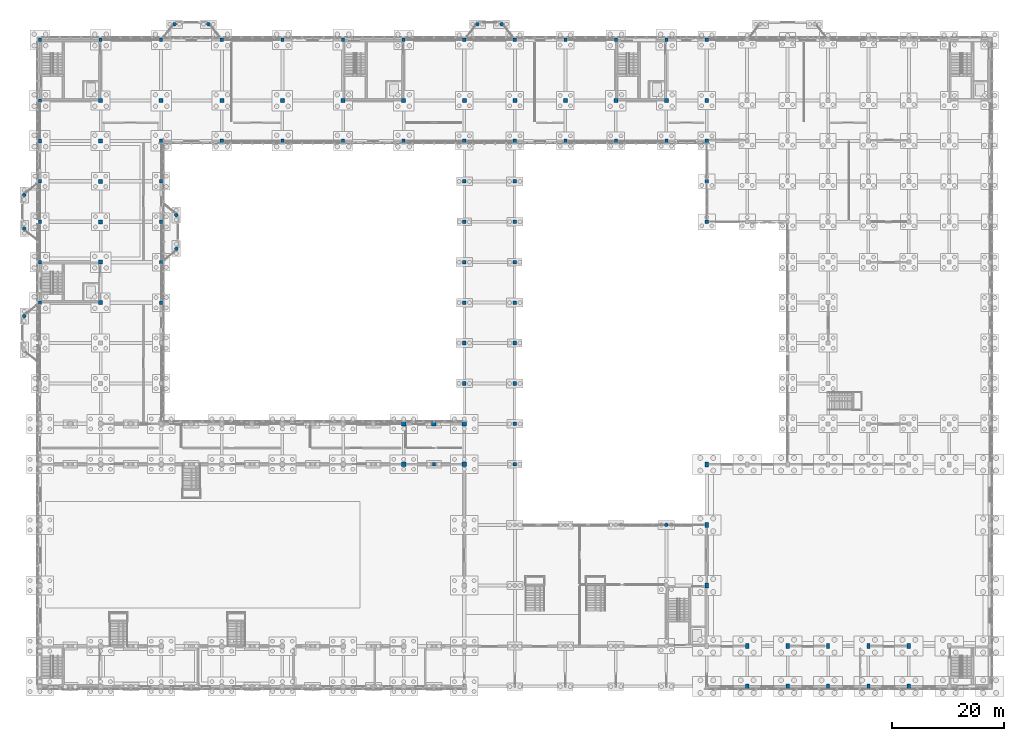
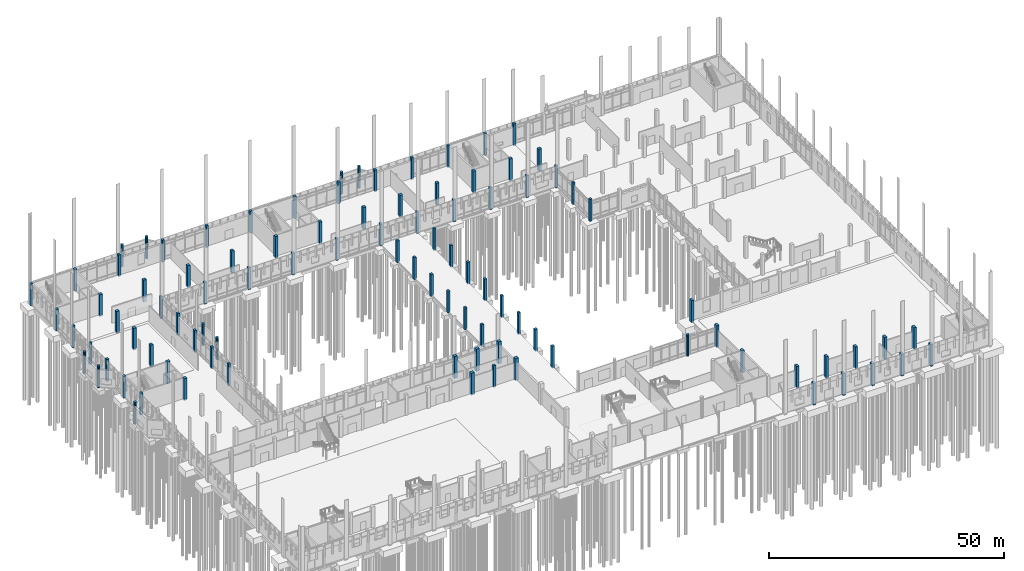
# One storey, part 22 of 109: 96 columns.
"""IFC4 building model written with IfcOpenShell, lengths in metres."""

from ifc_helpers import new_model, si_unit, direction, frame, origin, origin_2d, place, context, subcontext, project, spatial, rectangle, circle, extrude, material, material_profile, profile_set, type_object, element, save


model = new_model("IFC4")

# Units and contexts
model_context = context("Model", 3, precision=1e-05, world=origin(), true_north=direction((0.0, 1.0)))
body_context = subcontext(model_context, "Body", "Model", "MODEL_VIEW")
ifc_project = project(units=[si_unit("LENGTHUNIT", "METRE"), si_unit("AREAUNIT", "SQUARE_METRE"), si_unit("VOLUMEUNIT", "CUBIC_METRE"), si_unit("PLANEANGLEUNIT", "RADIAN"), si_unit("MASSUNIT", "GRAM", prefix="KILO")], contexts=[model_context])

# Site, building, storey
site_placement = place(None, origin())
site = spatial("IfcSite", under=ifc_project, at=site_placement, CompositionType="ELEMENT")
building_placement = place(site_placement, origin())
building = spatial("IfcBuilding", under=site, at=building_placement, Name="Lusvemor Sports Hall", CompositionType="ELEMENT")
storey_placement = place(building_placement, origin())
storey = spatial("IfcBuildingStorey", under=building, at=storey_placement, Name="L00", CompositionType="ELEMENT", Elevation=0.0)

# Columns
ifc_material_1 = material(Name="Concrete C40/50", Category="concrete")
ifc_material_profile_1 = material_profile(ifc_material_1, circle(Radius=0.324951171875, at=origin_2d()), Name="RCCIRC650")
ifc_profile_set_1 = profile_set([ifc_material_profile_1], Name="Concrete C40/50")
column_type_1 = type_object("IfcColumnType", Name="COL_COLONNADE", PredefinedType="COLUMN", material=ifc_profile_set_1)
for number, where, z_axis, x_axis, name in (
    (1, (111.60009765625, 28.800048828125, -0.300048828125), (0.0, 0.0, 1.0), (1.0, 0.0, 0.0), "Column 12/D (L00)"),
    (2, (-2.800048828125, 66.0, -0.300048828125), (0.0, 0.0, 1.0), (1.0, 0.0, 0.0), "Art Nouveau Bow Column BOW-W1-2 (L00)"),
    (3, (-2.800048828125, 81.60009765625, -0.300048828125), (0.0, 0.0, 1.0), (1.0, 0.0, 0.0), "Art Nouveau Bow Column BOW-W2-1 (L00)"),
    (4, (-2.800048828125, 87.60009765625, -0.300048828125), (0.0, 0.0, 1.0), (1.0, 0.0, 0.0), "Art Nouveau Bow Column BOW-W2-2 (L00)"),
    (5, (24.0, 118.0, -0.300048828125), (0.0, 0.0, 1.0), (1.0, 0.0, 0.0), "Art Nouveau Bow Column BOW-N1-1 (L00)"),
    (6, (30.0, 118.0, -0.300048828125), (0.0, 0.0, 1.0), (1.0, 0.0, 0.0), "Art Nouveau Bow Column BOW-N1-2 (L00)"),
    (7, (77.93994140625, 118.0, -0.300048828125), (0.0, 0.0, 1.0), (1.0, 0.0, 0.0), "Art Nouveau Bow Column BOW-N2-1 (L00)"),
    (8, (82.260009765625, 118.0, -0.300048828125), (0.0, 0.0, 1.0), (1.0, 0.0, 0.0), "Art Nouveau Bow Column BOW-N2-2 (L00)"),
    (9, (24.300048828125, 84.0, -0.300048828125), (0.0, 0.0, 1.0), (1.0, 0.0, 0.0), "Art Nouveau Bow Column BOW-CT-1 (L00)"),
    (10, (24.300048828125, 78.0, -0.300048828125), (0.0, 0.0, 1.0), (1.0, 0.0, 0.0), "Art Nouveau Bow Column BOW-CT-2 (L00)"),
):
    element("IfcColumn", number, at=place(storey_placement, frame(where, z_axis=z_axis, x_axis=x_axis)), inside=storey, type_object=column_type_1, Name=name, PredefinedType="COLUMN", context=body_context, shape_type="SweptSolid", body=[
        extrude(circle(Radius=0.324951171875, at=origin_2d()), origin(), (0.0, 0.0, 1.0), 5.699951171875),
    ])
ifc_material_2 = material(Name="Concrete C40/50", Category="concrete")
ifc_material_profile_2 = material_profile(ifc_material_2, rectangle(XDim=0.699951171875, YDim=0.699951171875, at=origin_2d()), Name="RC700x700")
ifc_profile_set_2 = profile_set([ifc_material_profile_2], Name="Concrete C40/50")
column_type_2 = type_object("IfcColumnType", Name="COL_HALL_I", PredefinedType="COLUMN", material=ifc_profile_set_2)
for number, where, z_axis, x_axis, name in (
    (11, (10.800048828125, 68.39990234375, -0.300048828125), (0.0, 0.0, 1.0), (1.0, 0.0, 0.0), "Column 2/J (L00)"),
    (12, (10.800048828125, 75.60009765625, -0.300048828125), (0.0, 0.0, 1.0), (1.0, 0.0, 0.0), "Column 2/K (L00)"),
    (13, (10.800048828125, 82.800048828125, -0.300048828125), (0.0, 0.0, 1.0), (1.0, 0.0, 0.0), "Column 2/L (L00)"),
    (14, (10.800048828125, 90.0, -0.300048828125), (0.0, 0.0, 1.0), (1.0, 0.0, 0.0), "Column 2/M (L00)"),
    (15, (10.800048828125, 97.199951171875, -0.300048828125), (0.0, 0.0, 1.0), (1.0, 0.0, 0.0), "Column 2/N (L00)"),
    (16, (10.800048828125, 104.39990234375, -0.300048828125), (0.0, 0.0, 1.0), (1.0, 0.0, 0.0), "Column 2/P (L00)"),
    (17, (21.60009765625, 104.39990234375, -0.300048828125), (0.0, 0.0, 1.0), (1.0, 0.0, 0.0), "Column 3/P (L00)"),
    (18, (32.39990234375, 104.39990234375, -0.300048828125), (0.0, 0.0, 1.0), (1.0, 0.0, 0.0), "Column 4/P (L00)"),
    (19, (43.199951171875, 104.39990234375, -0.300048828125), (0.0, 0.0, 1.0), (1.0, 0.0, 0.0), "Column 5/P (L00)"),
    (20, (54.0, 104.39990234375, -0.300048828125), (0.0, 0.0, 1.0), (1.0, 0.0, 0.0), "Column 6/P (L00)"),
    (21, (64.800048828125, 104.39990234375, -0.300048828125), (0.0, 0.0, 1.0), (1.0, 0.0, 0.0), "Column 7/P (L00)"),
    (22, (75.60009765625, 104.39990234375, -0.300048828125), (0.0, 0.0, 1.0), (1.0, 0.0, 0.0), "Column 8/P (L00)"),
    (23, (84.60009765625, 104.39990234375, -0.300048828125), (0.0, 0.0, 1.0), (1.0, 0.0, 0.0), "Column 9/P (L00)"),
    (24, (93.60009765625, 104.39990234375, -0.300048828125), (0.0, 0.0, 1.0), (1.0, 0.0, 0.0), "Column 10/P (L00)"),
    (25, (102.60009765625, 104.39990234375, -0.300048828125), (0.0, 0.0, 1.0), (1.0, 0.0, 0.0), "Column 11/P (L00)"),
    (26, (111.60009765625, 104.39990234375, -0.300048828125), (0.0, 0.0, 1.0), (1.0, 0.0, 0.0), "Column 12/P (L00)"),
    (27, (118.800048828125, 104.39990234375, -0.300048828125), (0.0, 0.0, 1.0), (1.0, 0.0, 0.0), "Column 13/P (L00)"),
):
    element("IfcColumn", number, at=place(storey_placement, frame(where, z_axis=z_axis, x_axis=x_axis)), inside=storey, type_object=column_type_2, Name=name, PredefinedType="COLUMN", context=body_context, shape_type="SweptSolid", body=[
        extrude(rectangle(XDim=0.699951171875, YDim=0.699951171875, at=origin_2d()), origin(), (0.0, 0.0, 1.0), 5.699951171875),
    ])
ifc_material_3 = material(Name="Concrete C40/50", Category="concrete")
ifc_material_profile_3 = material_profile(ifc_material_3, rectangle(XDim=0.800048828125, YDim=0.800048828125, at=origin_2d()), Name="RC800x800")
ifc_profile_set_3 = profile_set([ifc_material_profile_3], Name="Concrete C40/50")
column_type_3 = type_object("IfcColumnType", Name="COL_HALL_W", PredefinedType="COLUMN", material=ifc_profile_set_3)
for number, where, z_axis, x_axis, name in (
    (28, (64.800048828125, 39.60009765625, -0.300048828125), (0.0, 0.0, 1.0), (1.0, 0.0, 0.0), "Column 7/E (L00)"),
    (29, (64.800048828125, 46.800048828125, -0.300048828125), (0.0, 0.0, 1.0), (1.0, 0.0, 0.0), "Column 7/F (L00)"),
    (30, (75.60009765625, 39.60009765625, -0.300048828125), (0.0, 0.0, 1.0), (1.0, 0.0, 0.0), "Column 8/E (L00)"),
    (31, (75.60009765625, 46.800048828125, -0.300048828125), (0.0, 0.0, 1.0), (1.0, 0.0, 0.0), "Column 8/F (L00)"),
    (32, (70.199951171875, 46.800048828125, -0.300048828125), (0.0, 0.0, 1.0), (1.0, 0.0, 0.0), "Wave North Eave Column N7 (L00)"),
):
    element("IfcColumn", number, at=place(storey_placement, frame(where, z_axis=z_axis, x_axis=x_axis)), inside=storey, type_object=column_type_3, Name=name, PredefinedType="COLUMN", context=body_context, shape_type="SweptSolid", body=[
        extrude(rectangle(XDim=0.800048828125, YDim=0.800048828125, at=origin_2d()), origin(), (0.0, 0.0, 1.0), 5.699951171875),
    ])
ifc_material_4 = material(Name="Concrete C40/50", Category="concrete")
ifc_material_profile_4 = material_profile(ifc_material_4, rectangle(XDim=0.60009765625, YDim=0.89990234375, at=origin_2d()), Name="RC600x900")
ifc_profile_set_4 = profile_set([ifc_material_profile_4], Name="Concrete C40/50")
column_type_4 = type_object("IfcColumnType", Name="COL_STACK_E", PredefinedType="COLUMN", material=ifc_profile_set_4)
for number, where, z_axis, x_axis, name in (
    (33, (118.800048828125, 18.0, -0.300048828125), (0.0, 0.0, 1.0), (1.0, 0.0, 0.0), "Column 13/C (L00)"),
    (34, (118.800048828125, 28.800048828125, -0.300048828125), (0.0, 0.0, 1.0), (1.0, 0.0, 0.0), "Column 13/D (L00)"),
    (35, (118.800048828125, 39.60009765625, -0.300048828125), (0.0, 0.0, 1.0), (1.0, 0.0, 0.0), "Column 13/E (L00)"),
    (36, (126.0, 0.0, -0.300048828125), (0.0, 0.0, 1.0), (1.0, 0.0, 0.0), "Column 14/A (L00)"),
    (37, (126.0, 7.199951171875, -0.300048828125), (0.0, 0.0, 1.0), (1.0, 0.0, 0.0), "Column 14/B (L00)"),
    (38, (133.199951171875, 0.0, -0.300048828125), (0.0, 0.0, 1.0), (1.0, 0.0, 0.0), "Column 15/A (L00)"),
    (39, (133.199951171875, 7.199951171875, -0.300048828125), (0.0, 0.0, 1.0), (1.0, 0.0, 0.0), "Column 15/B (L00)"),
    (40, (140.39990234375, 0.0, -0.300048828125), (0.0, 0.0, 1.0), (1.0, 0.0, 0.0), "Column 16/A (L00)"),
    (41, (140.39990234375, 7.199951171875, -0.300048828125), (0.0, 0.0, 1.0), (1.0, 0.0, 0.0), "Column 16/B (L00)"),
    (42, (147.60009765625, 0.0, -0.300048828125), (0.0, 0.0, 1.0), (1.0, 0.0, 0.0), "Column 17/A (L00)"),
    (43, (147.60009765625, 7.199951171875, -0.300048828125), (0.0, 0.0, 1.0), (1.0, 0.0, 0.0), "Column 17/B (L00)"),
    (44, (154.800048828125, 0.0, -0.300048828125), (0.0, 0.0, 1.0), (1.0, 0.0, 0.0), "Column 18/A (L00)"),
    (45, (154.800048828125, 7.199951171875, -0.300048828125), (0.0, 0.0, 1.0), (1.0, 0.0, 0.0), "Column 18/B (L00)"),
):
    element("IfcColumn", number, at=place(storey_placement, frame(where, z_axis=z_axis, x_axis=x_axis)), inside=storey, type_object=column_type_4, Name=name, PredefinedType="COLUMN", context=body_context, shape_type="SweptSolid", body=[
        extrude(rectangle(XDim=0.60009765625, YDim=0.89990234375, at=origin_2d()), origin(), (0.0, 0.0, 1.0), 5.699951171875),
    ])
ifc_material_5 = material(Name="Concrete C40/50", Category="concrete")
ifc_material_profile_5 = material_profile(ifc_material_5, rectangle(XDim=0.56005859375, YDim=0.639892578125, at=origin_2d()), Name="RC560x640")
ifc_profile_set_5 = profile_set([ifc_material_profile_5], Name="Concrete C40/50")
column_type_5 = type_object("IfcColumnType", Name="COL_WING_E", PredefinedType="COLUMN", material=ifc_profile_set_5)
for number, where, z_axis, x_axis, name in (
    (46, (0.0, 68.39990234375, -0.300048828125), (0.0, 0.0, 1.0), (1.0, 0.0, 0.0), "Column 1/J (L00)"),
    (47, (0.0, 75.60009765625, -0.300048828125), (0.0, 0.0, 1.0), (1.0, 0.0, 0.0), "Column 1/K (L00)"),
    (48, (0.0, 82.800048828125, -0.300048828125), (0.0, 0.0, 1.0), (1.0, 0.0, 0.0), "Column 1/L (L00)"),
    (49, (0.0, 90.0, -0.300048828125), (0.0, 0.0, 1.0), (1.0, 0.0, 0.0), "Column 1/M (L00)"),
    (50, (0.0, 97.199951171875, -0.300048828125), (0.0, 0.0, 1.0), (1.0, 0.0, 0.0), "Column 1/N (L00)"),
    (51, (0.0, 104.39990234375, -0.300048828125), (0.0, 0.0, 1.0), (1.0, 0.0, 0.0), "Column 1/P (L00)"),
    (52, (0.0, 115.199951171875, -0.300048828125), (0.0, 0.0, 1.0), (1.0, 0.0, 0.0), "Column 1/Q (L00)"),
    (53, (10.800048828125, 115.199951171875, -0.300048828125), (0.0, 0.0, 1.0), (1.0, 0.0, 0.0), "Column 2/Q (L00)"),
    (54, (21.60009765625, 68.39990234375, -0.300048828125), (0.0, 0.0, 1.0), (1.0, 0.0, 0.0), "Column 3/J (L00)"),
    (55, (21.60009765625, 75.60009765625, -0.300048828125), (0.0, 0.0, 1.0), (1.0, 0.0, 0.0), "Column 3/K (L00)"),
    (56, (21.60009765625, 82.800048828125, -0.300048828125), (0.0, 0.0, 1.0), (1.0, 0.0, 0.0), "Column 3/L (L00)"),
    (57, (21.60009765625, 90.0, -0.300048828125), (0.0, 0.0, 1.0), (1.0, 0.0, 0.0), "Column 3/M (L00)"),
    (58, (21.60009765625, 97.199951171875, -0.300048828125), (0.0, 0.0, 1.0), (1.0, 0.0, 0.0), "Column 3/N (L00)"),
    (59, (21.60009765625, 115.199951171875, -0.300048828125), (0.0, 0.0, 1.0), (1.0, 0.0, 0.0), "Column 3/Q (L00)"),
    (60, (32.39990234375, 97.199951171875, -0.300048828125), (0.0, 0.0, 1.0), (1.0, 0.0, 0.0), "Column 4/N (L00)"),
    (61, (32.39990234375, 115.199951171875, -0.300048828125), (0.0, 0.0, 1.0), (1.0, 0.0, 0.0), "Column 4/Q (L00)"),
    (62, (43.199951171875, 97.199951171875, -0.300048828125), (0.0, 0.0, 1.0), (1.0, 0.0, 0.0), "Column 5/N (L00)"),
    (63, (43.199951171875, 115.199951171875, -0.300048828125), (0.0, 0.0, 1.0), (1.0, 0.0, 0.0), "Column 5/Q (L00)"),
    (64, (54.0, 97.199951171875, -0.300048828125), (0.0, 0.0, 1.0), (1.0, 0.0, 0.0), "Column 6/N (L00)"),
    (65, (54.0, 115.199951171875, -0.300048828125), (0.0, 0.0, 1.0), (1.0, 0.0, 0.0), "Column 6/Q (L00)"),
    (66, (64.800048828125, 97.199951171875, -0.300048828125), (0.0, 0.0, 1.0), (1.0, 0.0, 0.0), "Column 7/N (L00)"),
    (67, (64.800048828125, 115.199951171875, -0.300048828125), (0.0, 0.0, 1.0), (1.0, 0.0, 0.0), "Column 7/Q (L00)"),
    (68, (75.60009765625, 54.0, -0.300048828125), (0.0, 0.0, 1.0), (1.0, 0.0, 0.0), "Column 8/G (L00)"),
    (69, (75.60009765625, 61.199951171875, -0.300048828125), (0.0, 0.0, 1.0), (1.0, 0.0, 0.0), "Column 8/H (L00)"),
    (70, (75.60009765625, 68.39990234375, -0.300048828125), (0.0, 0.0, 1.0), (1.0, 0.0, 0.0), "Column 8/J (L00)"),
    (71, (75.60009765625, 75.60009765625, -0.300048828125), (0.0, 0.0, 1.0), (1.0, 0.0, 0.0), "Column 8/K (L00)"),
    (72, (75.60009765625, 82.800048828125, -0.300048828125), (0.0, 0.0, 1.0), (1.0, 0.0, 0.0), "Column 8/L (L00)"),
    (73, (75.60009765625, 90.0, -0.300048828125), (0.0, 0.0, 1.0), (1.0, 0.0, 0.0), "Column 8/M (L00)"),
    (74, (75.60009765625, 97.199951171875, -0.300048828125), (0.0, 0.0, 1.0), (1.0, 0.0, 0.0), "Column 8/N (L00)"),
    (75, (75.60009765625, 115.199951171875, -0.300048828125), (0.0, 0.0, 1.0), (1.0, 0.0, 0.0), "Column 8/Q (L00)"),
    (76, (84.60009765625, 39.60009765625, -0.300048828125), (0.0, 0.0, 1.0), (1.0, 0.0, 0.0), "Column 9/E (L00)"),
    (77, (84.60009765625, 46.800048828125, -0.300048828125), (0.0, 0.0, 1.0), (1.0, 0.0, 0.0), "Column 9/F (L00)"),
    (78, (84.60009765625, 54.0, -0.300048828125), (0.0, 0.0, 1.0), (1.0, 0.0, 0.0), "Column 9/G (L00)"),
    (79, (84.60009765625, 61.199951171875, -0.300048828125), (0.0, 0.0, 1.0), (1.0, 0.0, 0.0), "Column 9/H (L00)"),
    (80, (84.60009765625, 68.39990234375, -0.300048828125), (0.0, 0.0, 1.0), (1.0, 0.0, 0.0), "Column 9/J (L00)"),
    (81, (84.60009765625, 75.60009765625, -0.300048828125), (0.0, 0.0, 1.0), (1.0, 0.0, 0.0), "Column 9/K (L00)"),
    (82, (84.60009765625, 82.800048828125, -0.300048828125), (0.0, 0.0, 1.0), (1.0, 0.0, 0.0), "Column 9/L (L00)"),
    (83, (84.60009765625, 90.0, -0.300048828125), (0.0, 0.0, 1.0), (1.0, 0.0, 0.0), "Column 9/M (L00)"),
    (84, (84.60009765625, 97.199951171875, -0.300048828125), (0.0, 0.0, 1.0), (1.0, 0.0, 0.0), "Column 9/N (L00)"),
    (85, (84.60009765625, 115.199951171875, -0.300048828125), (0.0, 0.0, 1.0), (1.0, 0.0, 0.0), "Column 9/Q (L00)"),
    (86, (93.60009765625, 97.199951171875, -0.300048828125), (0.0, 0.0, 1.0), (1.0, 0.0, 0.0), "Column 10/N (L00)"),
    (87, (93.60009765625, 115.199951171875, -0.300048828125), (0.0, 0.0, 1.0), (1.0, 0.0, 0.0), "Column 10/Q (L00)"),
    (88, (102.60009765625, 97.199951171875, -0.300048828125), (0.0, 0.0, 1.0), (1.0, 0.0, 0.0), "Column 11/N (L00)"),
    (89, (102.60009765625, 115.199951171875, -0.300048828125), (0.0, 0.0, 1.0), (1.0, 0.0, 0.0), "Column 11/Q (L00)"),
    (90, (111.60009765625, 97.199951171875, -0.300048828125), (0.0, 0.0, 1.0), (1.0, 0.0, 0.0), "Column 12/N (L00)"),
    (91, (111.60009765625, 115.199951171875, -0.300048828125), (0.0, 0.0, 1.0), (1.0, 0.0, 0.0), "Column 12/Q (L00)"),
    (92, (118.800048828125, 82.800048828125, -0.300048828125), (0.0, 0.0, 1.0), (1.0, 0.0, 0.0), "Column 13/L (L00)"),
    (93, (118.800048828125, 90.0, -0.300048828125), (0.0, 0.0, 1.0), (1.0, 0.0, 0.0), "Column 13/M (L00)"),
    (94, (118.800048828125, 97.199951171875, -0.300048828125), (0.0, 0.0, 1.0), (1.0, 0.0, 0.0), "Column 13/N (L00)"),
    (95, (118.800048828125, 115.199951171875, -0.300048828125), (0.0, 0.0, 1.0), (1.0, 0.0, 0.0), "Column 13/Q (L00)"),
):
    element("IfcColumn", number, at=place(storey_placement, frame(where, z_axis=z_axis, x_axis=x_axis)), inside=storey, type_object=column_type_5, Name=name, PredefinedType="COLUMN", context=body_context, shape_type="SweptSolid", body=[
        extrude(rectangle(XDim=0.56005859375, YDim=0.639892578125, at=origin_2d()), origin(), (0.0, 0.0, 1.0), 5.699951171875),
    ])
ifc_material_6 = material(Name="Concrete C40/50", Category="concrete")
ifc_material_profile_6 = material_profile(ifc_material_6, rectangle(XDim=0.60009765625, YDim=0.60009765625, at=origin_2d()), Name="RC600x600")
ifc_profile_set_6 = profile_set([ifc_material_profile_6], Name="Concrete C40/50")
column_type_6 = type_object("IfcColumnType", Name="COL_WING_L", PredefinedType="COLUMN", material=ifc_profile_set_6)
column_placement = place(storey_placement, frame((70.199951171875, 39.60009765625, -0.300048828125), z_axis=(0.0, 0.0, 1.0), x_axis=(1.0, 0.0, 0.0)))
element("IfcColumn", 96, at=column_placement, inside=storey, type_object=column_type_6, Name="Wave Mid-Bay Column N7 (L00)", PredefinedType="COLUMN", context=body_context, shape_type="SweptSolid", body=[
    extrude(rectangle(XDim=0.60009765625, YDim=0.60009765625, at=origin_2d()), origin(), (0.0, 0.0, 1.0), 5.699951171875),
])

save(model, "model.ifc")
